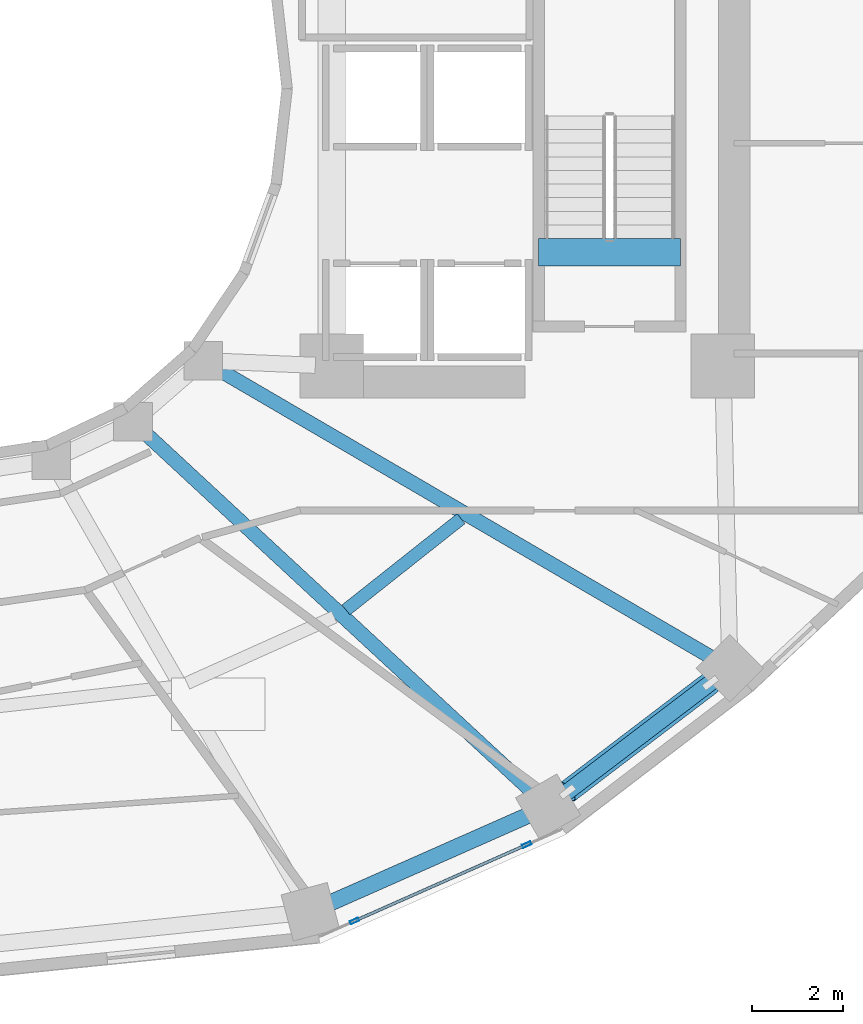
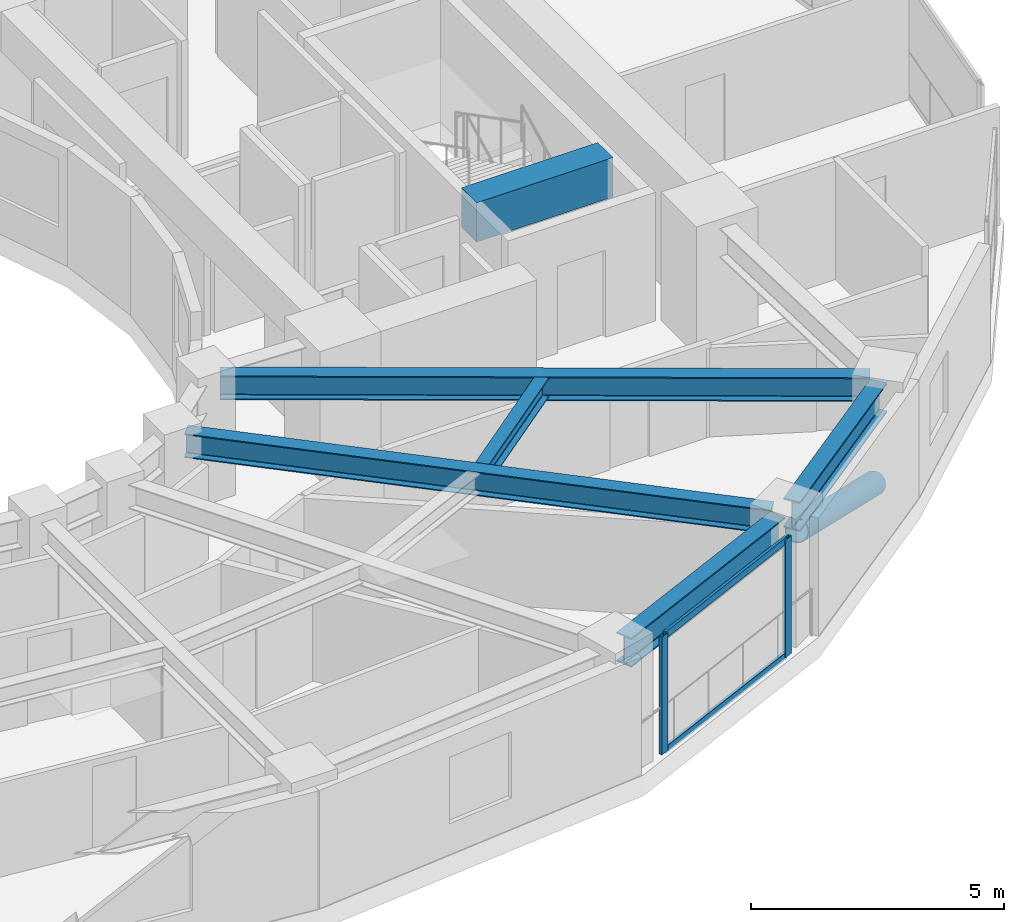
# One storey, part 4 of 18: 6 beams, 5 members, 1 element without a shape of its own.
"""IFC4 building model written with IfcOpenShell, lengths in metres."""

from ifc_helpers import new_model, si_unit, direction, frame, origin, origin_2d, place, context, subcontext, project, spatial, rectangle, hollow_rectangle, hollow_circle, i_section, extrude, material, layer, layer_set, material_profile, profile_set, type_object, element, aggregate, save


model = new_model("IFC4")

# Units and contexts
model_context = context("Model", 3, precision=1e-05, world=origin(), true_north=direction((0.0, 1.0)))
body_context = subcontext(model_context, "Body", "Model", "MODEL_VIEW")
ifc_project = project(units=[si_unit("LENGTHUNIT", "METRE"), si_unit("AREAUNIT", "SQUARE_METRE"), si_unit("VOLUMEUNIT", "CUBIC_METRE"), si_unit("PLANEANGLEUNIT", "RADIAN"), si_unit("MASSUNIT", "GRAM", prefix="KILO")], contexts=[model_context])

# Site, building, storey
site_placement = place(None, origin())
site = spatial("IfcSite", under=ifc_project, at=site_placement, CompositionType="ELEMENT")
building_placement = place(site_placement, origin())
building = spatial("IfcBuilding", under=site, at=building_placement, Name="Solvane Sanctuary Tower", CompositionType="ELEMENT")
storey_placement = place(building_placement, frame((0.0, 0.0, 94.89990234375)))
storey = spatial("IfcBuildingStorey", under=building, at=storey_placement, Name="L28", CompositionType="ELEMENT", Elevation=94.89990234375)

# Beams
ifc_material_1 = material(Name="Concrete C70/85", Category="concrete")
ifc_material_profile_1 = material_profile(ifc_material_1, rectangle(XDim=0.60009765625, YDim=0.949951171875, at=origin_2d()), Name="RC600X950")
ifc_profile_set_1 = profile_set([ifc_material_profile_1], Name="Concrete C70/85")
beam_type_1 = type_object("IfcBeamType", Name="Beam B-COUPLE RC600X950", PredefinedType="LINTEL", material=ifc_profile_set_1)
beam_1_placement = place(storey_placement, frame((44.64990234375, 19.399169921875, 2.625), z_axis=(1.0, 0.0, 0.0), x_axis=(0.0, 1.0, 0.0)))
element("IfcBeam", 1, at=beam_1_placement, inside=storey, type_object=beam_type_1, Name="L28 ST-2 Stair Floor Landing Trimmer", PredefinedType="LINTEL", context=body_context, shape_type="SweptSolid", body=[
    extrude(rectangle(XDim=0.60009765625, YDim=0.949951171875, at=origin_2d()), origin(), (0.0, 0.0, 1.0), 3.1201171875),
])
ifc_material_2 = material(Name="Steel ASTM A992 Grade 50", Category="steel")
ifc_material_profile_2 = material_profile(ifc_material_2, i_section(OverallWidth=0.31494140625, OverallDepth=0.575927734375, WebThickness=0.01513671875, FlangeThickness=0.0244140625, FilletRadius=0.014892578125, at=origin_2d()), Name="W21X122")
ifc_profile_set_2 = profile_set([ifc_material_profile_2], Name="Steel ASTM A992 Grade 50")
beam_type_2 = type_object("IfcBeamType", Name="Beam B-RAD-Z2 W21X122", PredefinedType="BEAM", material=ifc_profile_set_2)
beam_2_placement = place(storey_placement, frame((35.935302734375, 15.483154296875, 2.590087890625), z_axis=(0.733453775248, -0.679739332078, 0.0), x_axis=(0.679739332078, 0.733453775248, 0.0)))
element("IfcBeam", 2, at=beam_2_placement, inside=storey, type_object=beam_type_2, Name="L28 Radial Composite Floor Beam 13", PredefinedType="BEAM", context=body_context, shape_type="SweptSolid", body=[
    extrude(i_section(OverallWidth=0.31494140625, OverallDepth=0.575927734375, WebThickness=0.01513671875, FlangeThickness=0.0244140625, FilletRadius=0.014892578125, at=origin_2d()), origin(), (0.0, 0.0, 1.0), 11.885498046875),
])
beam_3_placement = place(storey_placement, frame((37.516845703125, 16.876708984375, 2.590087890625), z_axis=(0.863554121542, -0.504256164234, 0.0), x_axis=(0.504256164234, 0.863554121542, 0.0)))
element("IfcBeam", 3, at=beam_3_placement, inside=storey, type_object=beam_type_2, Name="L28 Radial Composite Floor Beam 14", PredefinedType="BEAM", context=body_context, shape_type="SweptSolid", body=[
    extrude(i_section(OverallWidth=0.31494140625, OverallDepth=0.575927734375, WebThickness=0.01513671875, FlangeThickness=0.0244140625, FilletRadius=0.014892578125, at=origin_2d()), origin(), (0.0, 0.0, 1.0), 12.84716796875),
])
ifc_material_profile_3 = material_profile(ifc_material_2, i_section(OverallWidth=0.280029296875, OverallDepth=0.462890625, WebThickness=0.0107421875, FlangeThickness=0.017333984375, FilletRadius=0.013916015625, at=origin_2d()), Name="W18X76")
ifc_profile_set_3 = profile_set([ifc_material_profile_3], Name="Steel ASTM A992 Grade 50")
beam_type_3 = type_object("IfcBeamType", Name="Beam B-SEC-JOIST W18X76", PredefinedType="JOIST", material=ifc_profile_set_3)
beam_4_placement = place(storey_placement, frame((40.413818359375, 11.538330078125, 2.646484375), z_axis=(0.783877123324, 0.620915981055, 0.0), x_axis=(-0.620915981055, 0.783877123324, 0.0)))
element("IfcBeam", 4, at=beam_4_placement, inside=storey, type_object=beam_type_3, Name="L28 Secondary Circumferential Joist 13-14", PredefinedType="JOIST", context=body_context, shape_type="SweptSolid", body=[
    extrude(i_section(OverallWidth=0.280029296875, OverallDepth=0.462890625, WebThickness=0.0107421875, FlangeThickness=0.017333984375, FilletRadius=0.013916015625, at=origin_2d()), origin(), (0.0, 0.0, 1.0), 3.228515625),
])
ifc_material_profile_4 = material_profile(ifc_material_2, i_section(OverallWidth=0.35791015625, OverallDepth=0.7060546875, WebThickness=0.018310546875, FlangeThickness=0.0302734375, FilletRadius=0.01806640625, at=origin_2d()), Name="W27X178")
ifc_profile_set_4 = profile_set([ifc_material_profile_4], Name="Steel ASTM A992 Grade 50")
beam_type_4 = type_object("IfcBeamType", Name="Beam B-SPAND-Z2 W27X178", PredefinedType="SPANDREL", material=ifc_profile_set_4)
beam_5_placement = place(storey_placement, frame((39.885498046875, 5.01318359375, 2.525146484375), z_axis=(0.914454505181, 0.404688717355, 0.0), x_axis=(-0.404688717355, 0.914454505181, 0.0)))
element("IfcBeam", 5, at=beam_5_placement, inside=storey, type_object=beam_type_4, Name="L28 Perimeter Spandrel Beam TC12-TC13", PredefinedType="SPANDREL", context=body_context, shape_type="SweptSolid", body=[
    extrude(i_section(OverallWidth=0.35791015625, OverallDepth=0.7060546875, WebThickness=0.018310546875, FlangeThickness=0.0302734375, FilletRadius=0.01806640625, at=origin_2d()), origin(), (0.0, 0.0, 1.0), 5.157958984375),
])
beam_6_placement = place(storey_placement, frame((45.0810546875, 7.383544921875, 2.525146484375), z_axis=(0.795473167932, 0.605988811036, 0.0), x_axis=(-0.605988811036, 0.795473167932, 0.0)))
element("IfcBeam", 6, at=beam_6_placement, inside=storey, type_object=beam_type_4, Name="L28 Perimeter Spandrel Beam TC13-TC14", PredefinedType="SPANDREL", context=body_context, shape_type="SweptSolid", body=[
    extrude(i_section(OverallWidth=0.35791015625, OverallDepth=0.7060546875, WebThickness=0.018310546875, FlangeThickness=0.0302734375, FilletRadius=0.01806640625, at=origin_2d()), origin(), (0.0, 0.0, 1.0), 4.4619140625),
])

# Curtain wall, members
ifc_material_3 = material(Name="Anodised Aluminium 6063-T6", Category="aluminium")
ifc_layer = layer(ifc_material_3, 0.179931640625, Name="Anodised Aluminium 6063-T6")
ifc_layer_set = layer_set([ifc_layer], Name="Anodised Aluminium 6063-T6")
curtain_wall_type = type_object("IfcCurtainWallType", Name="Curtain Wall CW-FRIT-Z2", PredefinedType="NOTDEFINED", material=ifc_layer_set)
curtain_wall_placement = place(storey_placement, origin())
curtain_wall = element("IfcCurtainWall", 7, at=curtain_wall_placement, inside=storey, type_object=curtain_wall_type, Name="L28 CW-FRIT-Z2 Facade Run 19", PredefinedType="NOTDEFINED")
ifc_material_profile_5 = material_profile(ifc_material_3, hollow_rectangle(XDim=0.074951171875, YDim=0.199951171875, WallThickness=0.00390625, at=origin_2d()), Name="ALU200X75X4")
ifc_profile_set_5 = profile_set([ifc_material_profile_5], Name="Anodised Aluminium 6063-T6")
member_type_1 = type_object("IfcMemberType", Name="Member M-CW-MUL-1 ALU200X75X4", PredefinedType="MULLION", material=ifc_profile_set_5)
member_1_placement = place(storey_placement, frame((40.600341796875, 4.69677734375, 0.0), z_axis=(0.0, 0.0, 1.0), x_axis=(-0.404950504664, 0.914338607285, 0.0)))
member_1 = element("IfcMember", 8, at=member_1_placement, type_object=member_type_1, Name="CW-FRIT-Z2 mullion 1", PredefinedType="MULLION", context=body_context, shape_type="SweptSolid", body=[
    extrude(hollow_rectangle(XDim=0.074951171875, YDim=0.199951171875, WallThickness=0.00390625, at=origin_2d()), origin(), (0.0, 0.0, 1.0), 2.840087890625),
])
member_2_placement = place(storey_placement, frame((44.38916015625, 6.374755859375, 0.0), z_axis=(0.0, 0.0, 1.0), x_axis=(-0.404950504664, 0.914338607285, 0.0)))
member_2 = element("IfcMember", 9, at=member_2_placement, type_object=member_type_1, Name="CW-FRIT-Z2 mullion 2", PredefinedType="MULLION", context=body_context, shape_type="SweptSolid", body=[
    extrude(hollow_rectangle(XDim=0.074951171875, YDim=0.199951171875, WallThickness=0.00390625, at=origin_2d()), origin(), (0.0, 0.0, 1.0), 2.840087890625),
])
ifc_material_profile_6 = material_profile(ifc_material_3, hollow_rectangle(XDim=0.06494140625, YDim=0.159912109375, WallThickness=0.00341796875, at=origin_2d()), Name="ALU160X65X3.5")
ifc_profile_set_6 = profile_set([ifc_material_profile_6], Name="Anodised Aluminium 6063-T6")
member_type_2 = type_object("IfcMemberType", Name="Member M-CW-TRN-1 ALU160X65X3.5", PredefinedType="USERDEFINED", material=ifc_profile_set_6)
member_3_placement = place(storey_placement, frame((40.634765625, 4.7119140625, 0.03271484375), z_axis=(0.914332885629, 0.404963423357, 0.0), x_axis=(-0.404963423357, 0.914332885629, 0.0)))
member_3 = element("IfcMember", 10, at=member_3_placement, type_object=member_type_2, Name="CW-FRIT-Z2 transom 1.1", ObjectType="TRANSOM", PredefinedType="USERDEFINED", context=body_context, shape_type="SweptSolid", body=[
    extrude(hollow_rectangle(XDim=0.06494140625, YDim=0.159912109375, WallThickness=0.00341796875, at=origin_2d()), origin(), (0.0, 0.0, 1.0), 4.06884765625),
])
member_4_placement = place(storey_placement, frame((40.634765625, 4.7119140625, 2.8076171875), z_axis=(0.914332885629, 0.404963423357, 0.0), x_axis=(-0.404963423357, 0.914332885629, 0.0)))
member_4 = element("IfcMember", 11, at=member_4_placement, type_object=member_type_2, Name="CW-FRIT-Z2 transom 1.2", ObjectType="TRANSOM", PredefinedType="USERDEFINED", context=body_context, shape_type="SweptSolid", body=[
    extrude(hollow_rectangle(XDim=0.06494140625, YDim=0.159912109375, WallThickness=0.00341796875, at=origin_2d()), origin(), (0.0, 0.0, 1.0), 4.06884765625),
])
aggregate(curtain_wall, [member_1, member_2, member_3, member_4])

# Member
ifc_material_profile_7 = material_profile(ifc_material_2, hollow_circle(Radius=0.25390625, WallThickness=0.01611328125, at=origin_2d()), Name="CHS508X16")
ifc_profile_set_7 = profile_set([ifc_material_profile_7], Name="Steel ASTM A992 Grade 50")
member_type_3 = type_object("IfcMemberType", Name="Member M-TUBE-Z2 CHS508X16", PredefinedType="BRACE", material=ifc_profile_set_7)
member_5_placement = place(storey_placement, frame((48.424072265625, 9.930419921875, 0.572509765625), z_axis=(-0.749170118041, -0.570768517947, 0.336106282529), x_axis=(0.606024564443, -0.795445929836, 0.0)))
element("IfcMember", 12, at=member_5_placement, inside=storey, type_object=member_type_3, Name="L28 Perimeter Braced-Tube Diagonal SE", PredefinedType="BRACE", context=body_context, shape_type="SweptSolid", body=[
    extrude(hollow_circle(Radius=0.25390625, WallThickness=0.01611328125, at=origin_2d()), origin(), (0.0, 0.0, 1.0), 4.1875),
])

save(model, "model.ifc")
